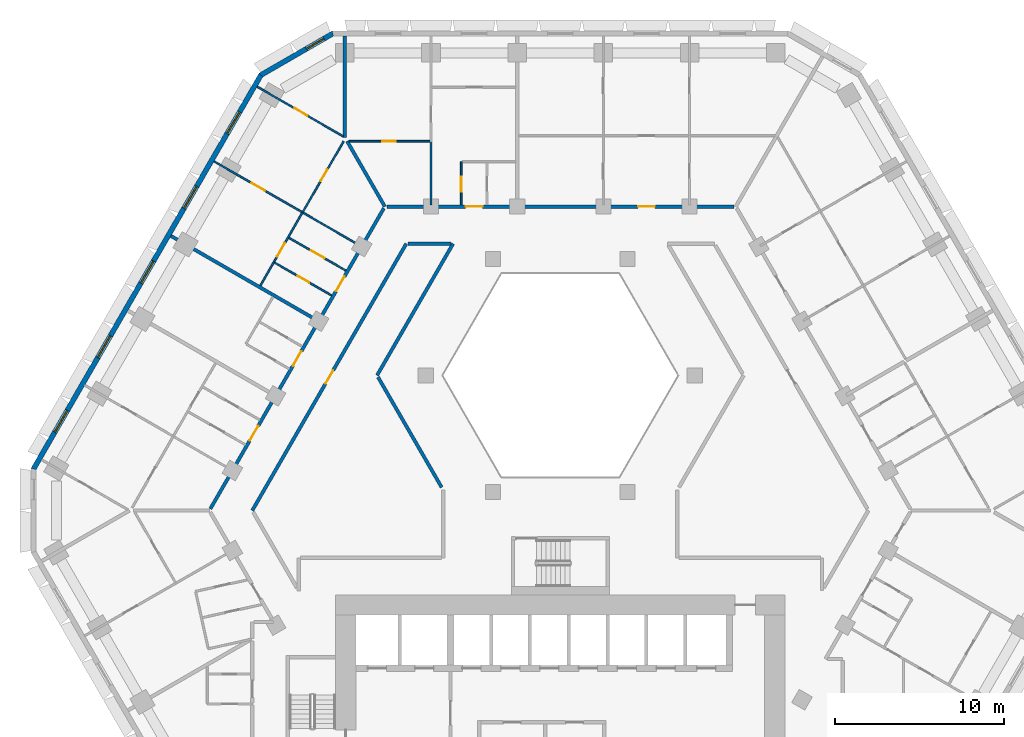
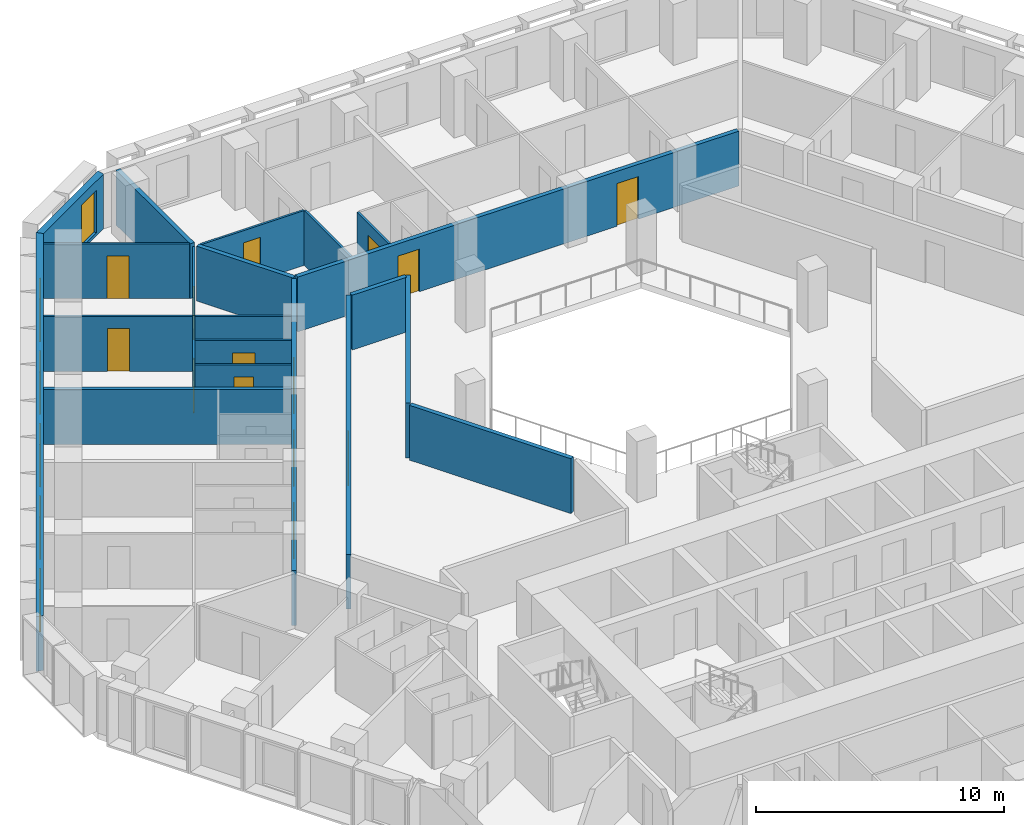
# One storey, part 8 of 16: 20 walls, 14 doors, 6 windows, 20 openings.
"""IFC4 building model written with IfcOpenShell, lengths in metres."""

import ifcopenshell
import ifcopenshell.guid

model = None  # the IFC model being written
_history = None  # IfcOwnerHistory: only IFC2X3 demands one
_inside = {}  # id of a spatial element -> (the spatial element, [elements in it])
_under = {}  # id of a project, library or spatial element -> (it, [spatial elements below it])
_declared = {}  # id of a project -> (the project, [libraries it declares])
_typed = {}  # id of a type object -> (the type object, [elements of that type])
_made_of = {}  # id of a material, layer set ... -> (it, [elements and type objects made of it])


def new_model(schema):
    """Start an empty IFC model of exactly this schema.

    Asked for "IFC4X3", IfcOpenShell would pick the latest addendum, in which some entities
    have other attributes; the version numbers below select the first issue.
    IFC2X3 requires an IfcOwnerHistory on every rooted entity: one is made here for all.
    """
    global model, _history
    if schema == "IFC4X3":
        model = ifcopenshell.file(schema_version=(4, 3, 0, 0))
    else:
        model = ifcopenshell.file(schema=schema)
    _inside.clear()
    _under.clear()
    _declared.clear()
    _typed.clear()
    _made_of.clear()
    _history = None
    if model.schema == "IFC2X3":
        org = make("IfcOrganization", Name="unknown")
        user = make(
            "IfcPersonAndOrganization",
            ThePerson=make("IfcPerson", FamilyName="unknown"),
            TheOrganization=org,
        )
        app = make(
            "IfcApplication",
            ApplicationDeveloper=org,
            Version="unknown",
            ApplicationFullName="unknown",
            ApplicationIdentifier="unknown",
        )
        _history = make(
            "IfcOwnerHistory",
            OwningUser=user,
            OwningApplication=app,
            ChangeAction="ADDED",
            CreationDate=0,
        )
    return model


def make(cls, **values):
    """One entity of the class cls with the attributes given. An attribute that is None is left unset."""
    return model.create_entity(
        cls, **{name: value for name, value in values.items() if value is not None}
    )


def rooted(cls, **values):
    """An entity with a GlobalId (a new one), such as an element, a storey or a relation."""
    return make(cls, GlobalId=ifcopenshell.guid.new(), OwnerHistory=_history, **values)


def si_unit(unit_type, name, prefix=None):
    """IfcSIUnit, for example si_unit("LENGTHUNIT", "METRE", prefix="MILLI")."""
    return make("IfcSIUnit", UnitType=unit_type, Prefix=prefix, Name=name)


def assignment(units):
    """IfcUnitAssignment: the units of a project."""
    return None if units is None else make("IfcUnitAssignment", Units=units)


def point(xyz):
    """IfcCartesianPoint."""
    return None if xyz is None else make("IfcCartesianPoint", Coordinates=xyz)


def direction(xyz):
    """IfcDirection."""
    return None if xyz is None else make("IfcDirection", DirectionRatios=xyz)


def frame(location, z_axis=None, x_axis=None):
    """IfcAxis2Placement3D, a coordinate frame: its origin and axes. An axis left out is left unset."""
    return make(
        "IfcAxis2Placement3D",
        Location=point(location),
        Axis=direction(z_axis),
        RefDirection=direction(x_axis),
    )


def frame_2d(location, x_axis=None):
    """IfcAxis2Placement2D, a coordinate frame in the plane: its origin and x axis."""
    return make(
        "IfcAxis2Placement2D", Location=point(location), RefDirection=direction(x_axis)
    )


def origin():
    """The frame at (0, 0, 0) with its axes left unset."""
    return frame((0.0, 0.0, 0.0))


def place(relative_to, where):
    """IfcLocalPlacement: puts the frame where relative to a parent placement (None: the world)."""
    return make(
        "IfcLocalPlacement", PlacementRelTo=relative_to, RelativePlacement=where
    )


def context(
    kind, dimensions, precision=None, world=None, true_north=None, identifier=None
):
    """IfcGeometricRepresentationContext, for example the 3D "Model" context."""
    return make(
        "IfcGeometricRepresentationContext",
        ContextIdentifier=identifier,
        ContextType=kind,
        CoordinateSpaceDimension=dimensions,
        Precision=precision,
        WorldCoordinateSystem=world,
        TrueNorth=true_north,
    )


def subcontext(parent, identifier, kind, view, scale=None):
    """IfcGeometricRepresentationSubContext, for example "Body" below "Model"."""
    return make(
        "IfcGeometricRepresentationSubContext",
        ContextIdentifier=identifier,
        ContextType=kind,
        ParentContext=parent,
        TargetScale=scale,
        TargetView=view,
    )


def project(units=None, contexts=None):
    """IfcProject with its units and contexts."""
    return rooted(
        "IfcProject",
        Name="project",
        RepresentationContexts=contexts,
        UnitsInContext=assignment(units),
    )


def spatial(cls, under=None, at=None, **own):
    """A site, building, storey or space (cls), placed at a placement, below another one or the project."""
    s = rooted(cls, ObjectPlacement=at, **own)
    if under is not None:
        _under.setdefault(under.id(), (under, []))[1].append(s)
    return s


def polyline(points):
    """IfcPolyline through the points."""
    return make("IfcPolyline", Points=[point(p) for p in points])


def profile(cls, at=None, kind="AREA", **sizes):
    """A parametric profile (cls). Its sizes go by their IFC names, for example OverallWidth=200.0."""
    return make(cls, ProfileType=kind, Position=at, **sizes)


def rectangle(**sizes):
    """IfcRectangleProfileDef."""
    return profile("IfcRectangleProfileDef", **sizes)


def outline(outer, holes=None, kind="AREA"):
    """IfcArbitraryClosedProfileDef: a profile drawn as a closed curve; with holes, ...WithVoids."""
    if holes is None:
        return make("IfcArbitraryClosedProfileDef", ProfileType=kind, OuterCurve=outer)
    return make(
        "IfcArbitraryProfileDefWithVoids",
        ProfileType=kind,
        OuterCurve=outer,
        InnerCurves=holes,
    )


def extrude(swept, where, along, depth):
    """IfcExtrudedAreaSolid: the profile swept, set in the frame where, extruded along a direction by depth."""
    return make(
        "IfcExtrudedAreaSolid",
        SweptArea=swept,
        Position=where,
        ExtrudedDirection=direction(along),
        Depth=depth,
    )


def shape(context_of_items, identifier, shape_type, items):
    """IfcShapeRepresentation: the items that make up one representation, for example the "Body"."""
    return make(
        "IfcShapeRepresentation",
        ContextOfItems=context_of_items,
        RepresentationIdentifier=identifier,
        RepresentationType=shape_type,
        Items=items,
    )


def material(Name=None, Category=None):
    """IfcMaterial."""
    return make("IfcMaterial", Name=Name, Category=Category)


def layer(
    of_material, thickness, ventilated=None, Name=None, Category=None, Priority=None
):
    """IfcMaterialLayer: one layer of a wall or slab, of a material (None: an air gap)."""
    return make(
        "IfcMaterialLayer",
        Material=of_material,
        LayerThickness=thickness,
        IsVentilated=ventilated,
        Name=Name,
        Category=Category,
        Priority=Priority,
    )


def layer_set(layers, Name=None):
    """IfcMaterialLayerSet."""
    return make("IfcMaterialLayerSet", MaterialLayers=layers, LayerSetName=Name)


def made_of(thing, what):
    """Note that an element or type object is made of a material, layer set ...; save() writes the relation."""
    if what is not None:
        _made_of.setdefault(what.id(), (what, []))[1].append(thing)
    return thing


def type_object(cls, material=None, **own):
    """A type object (cls), such as IfcWallType, which elements share."""
    return made_of(rooted(cls, **own), material)


def element(
    cls,
    number,
    at=None,
    inside=None,
    cuts=None,
    type_object=None,
    material=None,
    context=None,
    identifier="Body",
    shape_type=None,
    held_by="IfcProductDefinitionShape",
    body=None,
    shapes=None,
    **own,
):
    """One element of the class cls, such as IfcWall. Its Tag is "e" and its number.

    at: its placement. inside: the storey or other place that contains it. cuts: it is an
    opening in that element (IfcRelVoidsElement). A single representation is given by context,
    identifier, shape_type and body (its items); several are given by shapes. held_by: the class
    of the entity that holds the representations. save() writes the other relations.
    """
    e = rooted(cls, Tag="e%d" % number, ObjectPlacement=at, **own)
    if body is not None:
        shapes = [shape(context, identifier, shape_type, body)]
    if shapes is not None:
        e.Representation = make(held_by, Representations=shapes)
    if inside is not None:
        _inside.setdefault(inside.id(), (inside, []))[1].append(e)
    if cuts is not None:
        rooted(
            "IfcRelVoidsElement", RelatingBuildingElement=cuts, RelatedOpeningElement=e
        )
    if type_object is not None:
        _typed.setdefault(type_object.id(), (type_object, []))[1].append(e)
    return made_of(e, material)


def fill(opening, filler):
    """IfcRelFillsElement: the door or window that sits in an opening."""
    return rooted(
        "IfcRelFillsElement",
        RelatingOpeningElement=opening,
        RelatedBuildingElement=filler,
    )


def aggregate(whole, parts):
    """IfcRelAggregates: a whole, such as a stair, and the parts it consists of."""
    return rooted("IfcRelAggregates", RelatingObject=whole, RelatedObjects=parts)


def save(model, path):
    """Write the relations noted so far, then the file.

    IfcRelAggregates (storeys below a building ...), IfcRelContainedInSpatialStructure (elements
    in a storey), IfcRelDefinesByType, IfcRelAssociatesMaterial and IfcRelDeclares: one each for
    every whole, place, type object, material and project.
    """
    for whole, parts in _under.values():
        aggregate(whole, parts)
    for where, things in _inside.values():
        rooted(
            "IfcRelContainedInSpatialStructure",
            RelatedElements=things,
            RelatingStructure=where,
        )
    for kind, things in _typed.values():
        rooted("IfcRelDefinesByType", RelatedObjects=things, RelatingType=kind)
    for what, things in _made_of.values():
        rooted("IfcRelAssociatesMaterial", RelatedObjects=things, RelatingMaterial=what)
    for by, libraries in _declared.values():
        rooted("IfcRelDeclares", RelatingContext=by, RelatedDefinitions=libraries)
    model.write(path)


model = new_model("IFC4")

# Units and contexts
model_context = context("Model", 3, precision=1e-05, world=origin(), true_north=direction((0.0, 1.0)))
body_context = subcontext(model_context, "Body", "Model", "MODEL_VIEW")
ifc_project = project(units=[si_unit("LENGTHUNIT", "METRE"), si_unit("AREAUNIT", "SQUARE_METRE"), si_unit("VOLUMEUNIT", "CUBIC_METRE"), si_unit("PLANEANGLEUNIT", "RADIAN"), si_unit("MASSUNIT", "GRAM", prefix="KILO")], contexts=[model_context])

# Site, building, storey
site_placement = place(None, origin())
site = spatial("IfcSite", under=ifc_project, at=site_placement, CompositionType="ELEMENT")
building_placement = place(site_placement, origin())
building = spatial("IfcBuilding", under=site, at=building_placement, Name="Beryl Residences", CompositionType="ELEMENT")
storey_placement = place(building_placement, frame((0.0, 0.0, 44.39990234375)))
storey = spatial("IfcBuildingStorey", under=building, at=storey_placement, Name="L13", CompositionType="ELEMENT", Elevation=44.39990234375)

# Wall, opening, window
ifc_material_1 = material(Name="Composite metal panel with mineral wool insulation")
ifc_layer_1 = layer(ifc_material_1, 0.300048828125)
ifc_layer_set_1 = layer_set([ifc_layer_1], Name="ES1 pale metal composite panel wall 300 mm")
wall_type_1 = type_object("IfcWallType", Name="ES1 pale metal composite panel wall 300 mm", PredefinedType="SOLIDWALL", material=ifc_layer_set_1)
wall_1_placement = place(storey_placement, frame((-13.43505859375, 28.27001953125, 0.0), z_axis=(0.0, 0.0, 1.0), x_axis=(-0.866010750942, -0.50002537861, 0.0)))
wall_1 = element("IfcWall", 1, at=wall_1_placement, inside=storey, type_object=wall_type_1, Name="ES1 external wall L13 N-NW", PredefinedType="SOLIDWALL", context=body_context, shape_type="SweptSolid", body=[
    extrude(outline(polyline([(0.0, -0.14990234375), (4.999755859375, -0.14990234375), (4.91943359375, 0.14990234375), (0.080322265625, 0.14990234375), (0.0, -0.14990234375)])), origin(), (0.0, 0.0, 1.0), 2.7001953125),
])
opening_1_placement = place(wall_1_placement, frame((0.64990234375, 0.0, 0.14990234375)))
opening_1 = element("IfcOpeningElement", 2, at=opening_1_placement, cuts=wall_1, Name="Opening W2", PredefinedType="OPENING", context=body_context, shape_type="SweptSolid", body=[
    extrude(rectangle(XDim=1.199951171875, YDim=2.10009765625, at=frame_2d((0.60009765625, 1.050048828125))), frame((0.0, 0.159912109375, 0.0), z_axis=(0.0, -1.0, 0.0), x_axis=(1.0, 0.0, 0.0)), (0.0, 0.0, 1.0), 0.320068359375),
])
ifc_material_2 = material(Name="Aluminium and clear glass", Category="aluminium")
window_type_1 = type_object("IfcWindowType", Name="W2 chamfer window 1200 x 2100 mm", PartitioningType="SINGLE_PANEL", PredefinedType="WINDOW", material=ifc_material_2)
window_1_placement = place(opening_1_placement, origin())
window_1 = element("IfcWindow", 3, at=window_1_placement, inside=storey, type_object=window_type_1, Name="W2 window L13 N-NW 1", OverallHeight=2.10009765625, OverallWidth=1.199951171875, PartitioningType="SINGLE_PANEL", PredefinedType="WINDOW", context=body_context, shape_type="SweptSolid", body=[
    extrude(rectangle(XDim=1.199951171875, YDim=2.10009765625, at=frame_2d((0.60009765625, 1.050048828125))), frame((0.0, 0.030029296875, 0.0), z_axis=(0.0, -1.0, 0.0), x_axis=(1.0, 0.0, 0.0)), (0.0, 0.0, 1.0), 0.06005859375),
])
fill(opening_1, window_1)

# Wall, openings, windows
wall_2_placement = place(storey_placement, frame((-17.7099609375, 25.824951171875, 0.0), z_axis=(0.0, 0.0, 1.0), x_axis=(-0.500001938803, -0.866024284413, 0.0)))
wall_2 = element("IfcWall", 4, at=wall_2_placement, inside=storey, type_object=wall_type_1, Name="ES1 external wall L13 NW", PredefinedType="SOLIDWALL", context=body_context, shape_type="SweptSolid", body=[
    extrude(outline(polyline([(0.0, -0.14990234375), (27.02001953125, -0.14990234375), (26.939697265625, 0.14990234375), (0.080322265625, 0.14990234375), (0.0, -0.14990234375)])), origin(), (0.0, 0.0, 1.0), 2.7001953125),
])
opening_2_placement = place(wall_2_placement, frame((2.552978515625, 0.0, 0.14990234375)))
opening_2 = element("IfcOpeningElement", 5, at=opening_2_placement, cuts=wall_2, Name="Opening W1", PredefinedType="OPENING", context=body_context, shape_type="SweptSolid", body=[
    extrude(rectangle(XDim=1.5, YDim=2.10009765625, at=frame_2d((0.75, 1.050048828125))), frame((0.0, 0.159912109375, 0.0), z_axis=(0.0, -1.0, 0.0), x_axis=(1.0, 0.0, 0.0)), (0.0, 0.0, 1.0), 0.320068359375),
])
opening_3_placement = place(wall_2_placement, frame((7.657958984375, 0.0, 0.14990234375)))
opening_3 = element("IfcOpeningElement", 6, at=opening_3_placement, cuts=wall_2, Name="Opening W1", PredefinedType="OPENING", context=body_context, shape_type="SweptSolid", body=[
    extrude(rectangle(XDim=1.5, YDim=2.10009765625, at=frame_2d((0.75, 1.050048828125))), frame((0.0, 0.159912109375, 0.0), z_axis=(0.0, -1.0, 0.0), x_axis=(1.0, 0.0, 0.0)), (0.0, 0.0, 1.0), 0.320068359375),
])
opening_4_placement = place(wall_2_placement, frame((12.760986328125, 0.0, 0.14990234375)))
opening_4 = element("IfcOpeningElement", 7, at=opening_4_placement, cuts=wall_2, Name="Opening W1", PredefinedType="OPENING", context=body_context, shape_type="SweptSolid", body=[
    extrude(rectangle(XDim=1.5, YDim=2.10009765625, at=frame_2d((0.75, 1.050048828125))), frame((0.0, 0.159912109375, 0.0), z_axis=(0.0, -1.0, 0.0), x_axis=(1.0, 0.0, 0.0)), (0.0, 0.0, 1.0), 0.320068359375),
])
opening_5_placement = place(wall_2_placement, frame((17.864990234375, 0.0, 0.14990234375)))
opening_5 = element("IfcOpeningElement", 8, at=opening_5_placement, cuts=wall_2, Name="Opening W1", PredefinedType="OPENING", context=body_context, shape_type="SweptSolid", body=[
    extrude(rectangle(XDim=1.5, YDim=2.10009765625, at=frame_2d((0.75, 1.050048828125))), frame((0.0, 0.159912109375, 0.0), z_axis=(0.0, -1.0, 0.0), x_axis=(1.0, 0.0, 0.0)), (0.0, 0.0, 1.0), 0.320068359375),
])
opening_6_placement = place(wall_2_placement, frame((22.968994140625, 0.0, 0.14990234375)))
opening_6 = element("IfcOpeningElement", 9, at=opening_6_placement, cuts=wall_2, Name="Opening W1", PredefinedType="OPENING", context=body_context, shape_type="SweptSolid", body=[
    extrude(rectangle(XDim=1.5, YDim=2.10009765625, at=frame_2d((0.75, 1.050048828125))), frame((0.0, 0.159912109375, 0.0), z_axis=(0.0, -1.0, 0.0), x_axis=(1.0, 0.0, 0.0)), (0.0, 0.0, 1.0), 0.320068359375),
])
ifc_material_3 = material(Name="Aluminium and clear glass", Category="aluminium")
window_type_2 = type_object("IfcWindowType", Name="W1 cell window 1500 x 2100 mm", PartitioningType="SINGLE_PANEL", PredefinedType="WINDOW", material=ifc_material_3)
window_2_placement = place(opening_2_placement, origin())
window_2 = element("IfcWindow", 10, at=window_2_placement, inside=storey, type_object=window_type_2, Name="W1 window L13 NW 2", OverallHeight=2.10009765625, OverallWidth=1.5, PartitioningType="SINGLE_PANEL", PredefinedType="WINDOW", context=body_context, shape_type="SweptSolid", body=[
    extrude(rectangle(XDim=1.5, YDim=2.10009765625, at=frame_2d((0.75, 1.050048828125))), frame((0.0, 0.030029296875, 0.0), z_axis=(0.0, -1.0, 0.0), x_axis=(1.0, 0.0, 0.0)), (0.0, 0.0, 1.0), 0.06005859375),
])
fill(opening_2, window_2)
window_3_placement = place(opening_3_placement, origin())
window_3 = element("IfcWindow", 11, at=window_3_placement, inside=storey, type_object=window_type_2, Name="W1 window L13 NW 4", OverallHeight=2.10009765625, OverallWidth=1.5, PartitioningType="SINGLE_PANEL", PredefinedType="WINDOW", context=body_context, shape_type="SweptSolid", body=[
    extrude(rectangle(XDim=1.5, YDim=2.10009765625, at=frame_2d((0.75, 1.050048828125))), frame((0.0, 0.030029296875, 0.0), z_axis=(0.0, -1.0, 0.0), x_axis=(1.0, 0.0, 0.0)), (0.0, 0.0, 1.0), 0.06005859375),
])
fill(opening_3, window_3)
window_4_placement = place(opening_4_placement, origin())
window_4 = element("IfcWindow", 12, at=window_4_placement, inside=storey, type_object=window_type_2, Name="W1 window L13 NW 6", OverallHeight=2.10009765625, OverallWidth=1.5, PartitioningType="SINGLE_PANEL", PredefinedType="WINDOW", context=body_context, shape_type="SweptSolid", body=[
    extrude(rectangle(XDim=1.5, YDim=2.10009765625, at=frame_2d((0.75, 1.050048828125))), frame((0.0, 0.030029296875, 0.0), z_axis=(0.0, -1.0, 0.0), x_axis=(1.0, 0.0, 0.0)), (0.0, 0.0, 1.0), 0.06005859375),
])
fill(opening_4, window_4)
window_5_placement = place(opening_5_placement, origin())
window_5 = element("IfcWindow", 13, at=window_5_placement, inside=storey, type_object=window_type_2, Name="W1 window L13 NW 8", OverallHeight=2.10009765625, OverallWidth=1.5, PartitioningType="SINGLE_PANEL", PredefinedType="WINDOW", context=body_context, shape_type="SweptSolid", body=[
    extrude(rectangle(XDim=1.5, YDim=2.10009765625, at=frame_2d((0.75, 1.050048828125))), frame((0.0, 0.030029296875, 0.0), z_axis=(0.0, -1.0, 0.0), x_axis=(1.0, 0.0, 0.0)), (0.0, 0.0, 1.0), 0.06005859375),
])
fill(opening_5, window_5)
window_6_placement = place(opening_6_placement, origin())
window_6 = element("IfcWindow", 14, at=window_6_placement, inside=storey, type_object=window_type_2, Name="W1 window L13 NW 10", OverallHeight=2.10009765625, OverallWidth=1.5, PartitioningType="SINGLE_PANEL", PredefinedType="WINDOW", context=body_context, shape_type="SweptSolid", body=[
    extrude(rectangle(XDim=1.5, YDim=2.10009765625, at=frame_2d((0.75, 1.050048828125))), frame((0.0, 0.030029296875, 0.0), z_axis=(0.0, -1.0, 0.0), x_axis=(1.0, 0.0, 0.0)), (0.0, 0.0, 1.0), 0.06005859375),
])
fill(opening_6, window_6)

# Wall
ifc_material_4 = material(Name="Gypsum board partition on steel studs", Category="steel")
ifc_layer_2 = layer(ifc_material_4, 0.10009765625)
ifc_layer_set_2 = layer_set([ifc_layer_2], Name="PT1 partition 100 mm gypsum board on steel studs")
wall_type_2 = type_object("IfcWallType", Name="PT1 partition 100 mm gypsum board on steel studs", PredefinedType="PARTITIONING", material=ifc_layer_set_2)
wall_3_placement = place(storey_placement, frame((-7.656982421875, 21.843994140625, 0.0), z_axis=(0.0, 0.0, 1.0), x_axis=(0.0, -1.0, 0.0)))
element("IfcWall", 15, at=wall_3_placement, inside=storey, type_object=wall_type_2, Name="Wall PT1 L13 006", PredefinedType="PARTITIONING", context=body_context, shape_type="SweptSolid", body=[
    extrude(rectangle(XDim=3.743896484375, YDim=0.10009765625, at=frame_2d((1.8720703125, 0.0))), origin(), (0.0, 0.0, 1.0), 2.7001953125),
])

# Wall, opening, door
wall_4_placement = place(storey_placement, frame((-16.923095703125, 14.680908203125, 0.0), z_axis=(0.0, 0.0, 1.0), x_axis=(0.866087525071, -0.499892387336, 0.0)))
wall_4 = element("IfcWall", 16, at=wall_4_placement, inside=storey, type_object=wall_type_2, Name="Wall PT1 L13 017", PredefinedType="PARTITIONING", context=body_context, shape_type="SweptSolid", body=[
    extrude(rectangle(XDim=3.896728515625, YDim=0.10009765625, at=frame_2d((1.9482421875, 0.0))), origin(), (0.0, 0.0, 1.0), 2.7001953125),
])
opening_7_placement = place(wall_4_placement, frame((1.573974609375, 0.0, 0.0)))
opening_7 = element("IfcOpeningElement", 17, at=opening_7_placement, cuts=wall_4, Name="Opening D0571", PredefinedType="OPENING", context=body_context, shape_type="SweptSolid", body=[
    extrude(rectangle(XDim=0.800048828125, YDim=2.10009765625, at=frame_2d((0.39990234375, 1.050048828125))), frame((0.0, 0.06005859375, 0.0), z_axis=(0.0, -1.0, 0.0), x_axis=(1.0, 0.0, 0.0)), (0.0, 0.0, 1.0), 0.1201171875),
])
ifc_material_5 = material(Name="Timber door leaf", Category="wood")
door_type_1 = type_object("IfcDoorType", Name="D3 bathroom door 800 x 2100 mm", OperationType="SINGLE_SWING_LEFT", PredefinedType="DOOR", material=ifc_material_5)
door_1_placement = place(opening_7_placement, origin())
door_1 = element("IfcDoor", 18, at=door_1_placement, inside=storey, type_object=door_type_1, Name="Door D0571 L13 001", OperationType="SINGLE_SWING_LEFT", OverallHeight=2.10009765625, OverallWidth=0.800048828125, PredefinedType="DOOR", context=body_context, shape_type="SweptSolid", body=[
    extrude(rectangle(XDim=0.800048828125, YDim=2.10009765625, at=frame_2d((0.39990234375, 1.050048828125))), frame((0.0, 0.02490234375, 0.0), z_axis=(0.0, -1.0, 0.0), x_axis=(1.0, 0.0, 0.0)), (0.0, 0.0, 1.0), 0.050048828125),
])
fill(opening_7, door_1)

wall_5_placement = place(storey_placement, frame((-16.072998046875, 16.154052734375, 0.0), z_axis=(0.0, 0.0, 1.0), x_axis=(0.865979019114, -0.500080332001, 0.0)))
wall_5 = element("IfcWall", 19, at=wall_5_placement, inside=storey, type_object=wall_type_2, Name="Wall PT1 L13 020", PredefinedType="PARTITIONING", context=body_context, shape_type="SweptSolid", body=[
    extrude(rectangle(XDim=3.897216796875, YDim=0.10009765625, at=frame_2d((1.94873046875, 0.0))), origin(), (0.0, 0.0, 1.0), 2.7001953125),
])
opening_8_placement = place(wall_5_placement, frame((1.52392578125, 0.0, 0.0)))
opening_8 = element("IfcOpeningElement", 20, at=opening_8_placement, cuts=wall_5, Name="Opening D0572", PredefinedType="OPENING", context=body_context, shape_type="SweptSolid", body=[
    extrude(rectangle(XDim=0.89990234375, YDim=2.10009765625, at=frame_2d((0.449951171875, 1.050048828125))), frame((0.0, 0.06005859375, 0.0), z_axis=(0.0, -1.0, 0.0), x_axis=(1.0, 0.0, 0.0)), (0.0, 0.0, 1.0), 0.1201171875),
])
ifc_material_6 = material(Name="Timber door leaf", Category="wood")
door_type_2 = type_object("IfcDoorType", Name="D2 room door 900 x 2100 mm", OperationType="SINGLE_SWING_LEFT", PredefinedType="DOOR", material=ifc_material_6)
door_2_placement = place(opening_8_placement, origin())
door_2 = element("IfcDoor", 21, at=door_2_placement, inside=storey, type_object=door_type_2, Name="Door D0572 L13 001", OperationType="SINGLE_SWING_RIGHT", OverallHeight=2.10009765625, OverallWidth=0.89990234375, PredefinedType="DOOR", context=body_context, shape_type="SweptSolid", body=[
    extrude(rectangle(XDim=0.89990234375, YDim=2.10009765625, at=frame_2d((0.449951171875, 1.050048828125))), frame((0.0, 0.02490234375, 0.0), z_axis=(0.0, -1.0, 0.0), x_axis=(1.0, 0.0, 0.0)), (0.0, 0.0, 1.0), 0.050048828125),
])
fill(opening_8, door_2)

wall_6_placement = place(storey_placement, frame((-20.508056640625, 20.678955078125, 0.0), z_axis=(0.0, 0.0, 1.0), x_axis=(0.866047370643, -0.499961950354, 0.0)))
wall_6 = element("IfcWall", 22, at=wall_6_placement, inside=storey, type_object=wall_type_2, Name="Wall PT1 L13 022", PredefinedType="PARTITIONING", context=body_context, shape_type="SweptSolid", body=[
    extrude(rectangle(XDim=10.000732421875, YDim=0.10009765625, at=frame_2d((5.00048828125, 0.0))), origin(), (0.0, 0.0, 1.0), 2.7001953125),
])
opening_9_placement = place(wall_6_placement, frame((2.575927734375, 0.0, 0.0)))
opening_9 = element("IfcOpeningElement", 23, at=opening_9_placement, cuts=wall_6, Name="Opening D0574", PredefinedType="OPENING", context=body_context, shape_type="SweptSolid", body=[
    extrude(rectangle(XDim=0.89990234375, YDim=2.10009765625, at=frame_2d((0.449951171875, 1.050048828125))), frame((0.0, 0.06005859375, 0.0), z_axis=(0.0, -1.0, 0.0), x_axis=(1.0, 0.0, 0.0)), (0.0, 0.0, 1.0), 0.1201171875),
])
door_3_placement = place(opening_9_placement, origin())
door_3 = element("IfcDoor", 24, at=door_3_placement, inside=storey, type_object=door_type_2, Name="Door D0574 L13 001", OperationType="SINGLE_SWING_RIGHT", OverallHeight=2.10009765625, OverallWidth=0.89990234375, PredefinedType="DOOR", context=body_context, shape_type="SweptSolid", body=[
    extrude(rectangle(XDim=0.89990234375, YDim=2.10009765625, at=frame_2d((0.449951171875, 1.050048828125))), frame((0.0, 0.02490234375, 0.0), z_axis=(0.0, -1.0, 0.0), x_axis=(1.0, 0.0, 0.0)), (0.0, 0.0, 1.0), 0.050048828125),
])
fill(opening_9, door_3)

wall_7_placement = place(storey_placement, frame((-17.955078125, 25.09912109375, 0.0), z_axis=(0.0, 0.0, 1.0), x_axis=(0.866036353684, -0.499981033738, 0.0)))
wall_7 = element("IfcWall", 25, at=wall_7_placement, inside=storey, type_object=wall_type_2, Name="Wall PT1 L13 023", PredefinedType="PARTITIONING", context=body_context, shape_type="SweptSolid", body=[
    extrude(rectangle(XDim=5.884521484375, YDim=0.10009765625, at=frame_2d((2.9423828125, 0.0))), origin(), (0.0, 0.0, 1.0), 2.7001953125),
])
opening_10_placement = place(wall_7_placement, frame((2.550048828125, 0.0, 0.0)))
opening_10 = element("IfcOpeningElement", 26, at=opening_10_placement, cuts=wall_7, Name="Opening D0575", PredefinedType="OPENING", context=body_context, shape_type="SweptSolid", body=[
    extrude(rectangle(XDim=0.89990234375, YDim=2.10009765625, at=frame_2d((0.449951171875, 1.050048828125))), frame((0.0, 0.06005859375, 0.0), z_axis=(0.0, -1.0, 0.0), x_axis=(1.0, 0.0, 0.0)), (0.0, 0.0, 1.0), 0.1201171875),
])
door_4_placement = place(opening_10_placement, origin())
door_4 = element("IfcDoor", 27, at=door_4_placement, inside=storey, type_object=door_type_2, Name="Door D0575 L13 001", OperationType="SINGLE_SWING_LEFT", OverallHeight=2.10009765625, OverallWidth=0.89990234375, PredefinedType="DOOR", context=body_context, shape_type="SweptSolid", body=[
    extrude(rectangle(XDim=0.89990234375, YDim=2.10009765625, at=frame_2d((0.449951171875, 1.050048828125))), frame((0.0, 0.02490234375, 0.0), z_axis=(0.0, -1.0, 0.0), x_axis=(1.0, 0.0, 0.0)), (0.0, 0.0, 1.0), 0.050048828125),
])
fill(opening_10, door_4)

wall_8_placement = place(storey_placement, frame((-12.512939453125, 21.8740234375, 0.0), z_axis=(0.0, 0.0, 1.0), x_axis=(1.0, 0.0, 0.0)))
wall_8 = element("IfcWall", 28, at=wall_8_placement, inside=storey, type_object=wall_type_2, Name="Wall PT1 L13 033", PredefinedType="PARTITIONING", context=body_context, shape_type="SweptSolid", body=[
    extrude(rectangle(XDim=4.805908203125, YDim=0.10009765625, at=frame_2d((2.40283203125, 0.0))), origin(), (0.0, 0.0, 1.0), 2.7001953125),
])
opening_11_placement = place(wall_8_placement, frame((1.969970703125, 0.0, 0.0)))
opening_11 = element("IfcOpeningElement", 29, at=opening_11_placement, cuts=wall_8, Name="Opening D0569", PredefinedType="OPENING", context=body_context, shape_type="SweptSolid", body=[
    extrude(rectangle(XDim=0.800048828125, YDim=2.10009765625, at=frame_2d((0.39990234375, 1.050048828125))), frame((0.0, 0.06005859375, 0.0), z_axis=(0.0, -1.0, 0.0), x_axis=(1.0, 0.0, 0.0)), (0.0, 0.0, 1.0), 0.1201171875),
])
door_5_placement = place(opening_11_placement, origin())
door_5 = element("IfcDoor", 30, at=door_5_placement, inside=storey, type_object=door_type_1, Name="Door D0569 L13 001", OperationType="SINGLE_SWING_LEFT", OverallHeight=2.10009765625, OverallWidth=0.800048828125, PredefinedType="DOOR", context=body_context, shape_type="SweptSolid", body=[
    extrude(rectangle(XDim=0.800048828125, YDim=2.10009765625, at=frame_2d((0.39990234375, 1.050048828125))), frame((0.0, 0.02490234375, 0.0), z_axis=(0.0, -1.0, 0.0), x_axis=(1.0, 0.0, 0.0)), (0.0, 0.0, 1.0), 0.050048828125),
])
fill(opening_11, door_5)

wall_9_placement = place(storey_placement, frame((-17.76806640625, 13.319091796875, 0.0), z_axis=(0.0, 0.0, 1.0), x_axis=(0.499958946799, 0.866049104564, 0.0)))
wall_9 = element("IfcWall", 31, at=wall_9_placement, inside=storey, type_object=wall_type_2, Name="Wall PT1 L13 040", PredefinedType="PARTITIONING", context=body_context, shape_type="SweptSolid", body=[
    extrude(rectangle(XDim=5.00439453125, YDim=0.10009765625, at=frame_2d((2.502197265625, 0.0))), origin(), (0.0, 0.0, 1.0), 2.7001953125),
])
opening_12_placement = place(wall_9_placement, frame((2.001953125, 0.0, 0.0)))
opening_12 = element("IfcOpeningElement", 32, at=opening_12_placement, cuts=wall_9, Name="Opening D0573", PredefinedType="OPENING", context=body_context, shape_type="SweptSolid", body=[
    extrude(rectangle(XDim=0.89990234375, YDim=2.10009765625, at=frame_2d((0.449951171875, 1.050048828125))), frame((0.0, 0.06005859375, 0.0), z_axis=(0.0, -1.0, 0.0), x_axis=(1.0, 0.0, 0.0)), (0.0, 0.0, 1.0), 0.1201171875),
])
door_6_placement = place(opening_12_placement, origin())
door_6 = element("IfcDoor", 33, at=door_6_placement, inside=storey, type_object=door_type_2, Name="Door D0573 L13 001", OperationType="SINGLE_SWING_LEFT", OverallHeight=2.10009765625, OverallWidth=0.89990234375, PredefinedType="DOOR", context=body_context, shape_type="SweptSolid", body=[
    extrude(rectangle(XDim=0.89990234375, YDim=2.10009765625, at=frame_2d((0.449951171875, 1.050048828125))), frame((0.0, 0.02490234375, 0.0), z_axis=(0.0, -1.0, 0.0), x_axis=(1.0, 0.0, 0.0)), (0.0, 0.0, 1.0), 0.050048828125),
])
fill(opening_12, door_6)

wall_10_placement = place(storey_placement, frame((-5.87109375, 18.10009765625, 0.0), z_axis=(0.0, 0.0, 1.0), x_axis=(0.0, 1.0, 0.0)))
wall_10 = element("IfcWall", 34, at=wall_10_placement, inside=storey, type_object=wall_type_2, Name="Wall PT1 L13 051", PredefinedType="PARTITIONING", context=body_context, shape_type="SweptSolid", body=[
    extrude(rectangle(XDim=2.558837890625, YDim=0.10009765625, at=frame_2d((1.279296875, 0.0))), origin(), (0.0, 0.0, 1.0), 2.7001953125),
])
opening_13_placement = place(wall_10_placement, frame((0.780029296875, 0.0, 0.0)))
opening_13 = element("IfcOpeningElement", 35, at=opening_13_placement, cuts=wall_10, Name="Opening D0565", PredefinedType="OPENING", context=body_context, shape_type="SweptSolid", body=[
    extrude(rectangle(XDim=0.89990234375, YDim=2.10009765625, at=frame_2d((0.449951171875, 1.050048828125))), frame((0.0, 0.06005859375, 0.0), z_axis=(0.0, -1.0, 0.0), x_axis=(1.0, 0.0, 0.0)), (0.0, 0.0, 1.0), 0.1201171875),
])
door_7_placement = place(opening_13_placement, origin())
door_7 = element("IfcDoor", 36, at=door_7_placement, inside=storey, type_object=door_type_2, Name="Door D0565 L13 001", OperationType="SINGLE_SWING_LEFT", OverallHeight=2.10009765625, OverallWidth=0.89990234375, PredefinedType="DOOR", context=body_context, shape_type="SweptSolid", body=[
    extrude(rectangle(XDim=0.89990234375, YDim=2.10009765625, at=frame_2d((0.449951171875, 1.050048828125))), frame((0.0, 0.02490234375, 0.0), z_axis=(0.0, -1.0, 0.0), x_axis=(1.0, 0.0, 0.0)), (0.0, 0.0, 1.0), 0.050048828125),
])
fill(opening_13, door_7)

wall_11_placement = place(storey_placement, frame((-15.26611328125, 17.653076171875, 0.0), z_axis=(0.0, 0.0, 1.0), x_axis=(0.500007182864, 0.866021256716, 0.0)))
wall_11 = element("IfcWall", 37, at=wall_11_placement, inside=storey, type_object=wall_type_2, Name="Wall PT1 L13 073", PredefinedType="PARTITIONING", context=body_context, shape_type="SweptSolid", body=[
    extrude(rectangle(XDim=4.8740234375, YDim=0.10009765625, at=frame_2d((2.43701171875, 0.0))), origin(), (0.0, 0.0, 1.0), 2.7001953125),
])
opening_14_placement = place(wall_11_placement, frame((2.136962890625, 0.0, 0.0)))
opening_14 = element("IfcOpeningElement", 38, at=opening_14_placement, cuts=wall_11, Name="Opening D0576", PredefinedType="OPENING", context=body_context, shape_type="SweptSolid", body=[
    extrude(rectangle(XDim=0.800048828125, YDim=2.10009765625, at=frame_2d((0.39990234375, 1.050048828125))), frame((0.0, 0.06005859375, 0.0), z_axis=(0.0, -1.0, 0.0), x_axis=(1.0, 0.0, 0.0)), (0.0, 0.0, 1.0), 0.1201171875),
])
door_8_placement = place(opening_14_placement, origin())
door_8 = element("IfcDoor", 39, at=door_8_placement, inside=storey, type_object=door_type_1, Name="Door D0576 L13 001", OperationType="SINGLE_SWING_RIGHT", OverallHeight=2.10009765625, OverallWidth=0.800048828125, PredefinedType="DOOR", context=body_context, shape_type="SweptSolid", body=[
    extrude(rectangle(XDim=0.800048828125, YDim=2.10009765625, at=frame_2d((0.39990234375, 1.050048828125))), frame((0.0, 0.02490234375, 0.0), z_axis=(0.0, -1.0, 0.0), x_axis=(1.0, 0.0, 0.0)), (0.0, 0.0, 1.0), 0.050048828125),
])
fill(opening_14, door_8)

# Walls
ifc_material_7 = material(Name="Acoustic double stud gypsum board wall")
ifc_layer_3 = layer(ifc_material_7, 0.199951171875)
ifc_layer_set_3 = layer_set([ifc_layer_3], Name="PT3 party wall 200 mm acoustic double stud")
wall_type_3 = type_object("IfcWallType", Name="PT3 party wall 200 mm acoustic double stud", PredefinedType="PARTITIONING", material=ifc_layer_set_3)
wall_12_placement = place(storey_placement, frame((-12.62890625, 21.8740234375, 0.0), z_axis=(0.0, 0.0, 1.0), x_axis=(0.500024801635, -0.86601108408, 0.0)))
element("IfcWall", 40, at=wall_12_placement, inside=storey, type_object=wall_type_3, Name="Wall PT3 L13 001", PredefinedType="PARTITIONING", context=body_context, shape_type="SweptSolid", body=[
    extrude(rectangle(XDim=4.473388671875, YDim=0.199951171875, at=frame_2d((2.23681640625, 0.0))), origin(), (0.0, 0.0, 1.0), 2.7001953125),
])
wall_13_placement = place(storey_placement, frame((-23.06005859375, 16.259033203125, 0.0), z_axis=(0.0, 0.0, 1.0), x_axis=(0.866047370643, -0.499961950354, 0.0)))
element("IfcWall", 41, at=wall_13_placement, inside=storey, type_object=wall_type_3, Name="Wall PT3 L13 008", PredefinedType="PARTITIONING", context=body_context, shape_type="SweptSolid", body=[
    extrude(rectangle(XDim=10.000732421875, YDim=0.199951171875, at=frame_2d((5.00048828125, 0.0))), origin(), (0.0, 0.0, 1.0), 2.7001953125),
])
wall_14_placement = place(storey_placement, frame((-12.760986328125, 22.10302734375, 0.0), z_axis=(0.0, 0.0, 1.0), x_axis=(0.0, 1.0, 0.0)))
element("IfcWall", 42, at=wall_14_placement, inside=storey, type_object=wall_type_3, Name="Wall PT3 L13 014", PredefinedType="PARTITIONING", context=body_context, shape_type="SweptSolid", body=[
    extrude(rectangle(XDim=5.9970703125, YDim=0.199951171875, at=frame_2d((2.99853515625, 0.0))), origin(), (0.0, 0.0, 1.0), 2.7001953125),
])
ifc_material_8 = material(Name="Double stud gypsum board wall")
ifc_layer_4 = layer(ifc_material_8, 0.199951171875)
ifc_layer_set_4 = layer_set([ifc_layer_4], Name="PT4 corridor wall 200 mm double stud")
wall_type_4 = type_object("IfcWallType", Name="PT4 corridor wall 200 mm double stud", PredefinedType="PARTITIONING", material=ifc_layer_set_4)
wall_15_placement = place(storey_placement, frame((-10.7958984375, 7.89990234375, 0.0), z_axis=(0.0, 0.0, 1.0), x_axis=(0.499954271211, -0.866051803703, 0.0)))
element("IfcWall", 43, at=wall_15_placement, inside=storey, type_object=wall_type_4, Name="Wall PT4 L13 001", PredefinedType="PARTITIONING", context=body_context, shape_type="SweptSolid", body=[
    extrude(rectangle(XDim=7.536376953125, YDim=0.199951171875, at=frame_2d((3.76806640625, 0.0))), origin(), (0.0, 0.0, 1.0), 2.7001953125),
])
wall_16_placement = place(storey_placement, frame((-9.006103515625, 15.800048828125, 0.0), z_axis=(0.0, 0.0, 1.0), x_axis=(1.0, 0.0, 0.0)))
element("IfcWall", 44, at=wall_16_placement, inside=storey, type_object=wall_type_4, Name="Wall PT4 L13 017", PredefinedType="PARTITIONING", context=body_context, shape_type="SweptSolid", body=[
    extrude(rectangle(XDim=2.5400390625, YDim=0.199951171875, at=frame_2d((1.27001953125, 0.0))), origin(), (0.0, 0.0, 1.0), 2.7001953125),
])

# Wall, openings, doors
wall_17_placement = place(storey_placement, frame((-10.27587890625, 18.0, 0.0), z_axis=(0.0, 0.0, 1.0), x_axis=(1.0, 0.0, 0.0)))
wall_17 = element("IfcWall", 45, at=wall_17_placement, inside=storey, type_object=wall_type_4, Name="Wall PT4 L13 019", PredefinedType="PARTITIONING", context=body_context, shape_type="SweptSolid", body=[
    extrude(rectangle(XDim=20.552978515625, YDim=0.199951171875, at=frame_2d((10.2763671875, 0.0))), origin(), (0.0, 0.0, 1.0), 2.7001953125),
])
opening_15_placement = place(wall_17_placement, frame((14.87890625, 0.0, 0.0)))
opening_15 = element("IfcOpeningElement", 46, at=opening_15_placement, cuts=wall_17, Name="Opening D0558", PredefinedType="OPENING", context=body_context, shape_type="SweptSolid", body=[
    extrude(rectangle(XDim=1.0, YDim=2.10009765625, at=frame_2d((0.5, 1.050048828125))), frame((0.0, 0.10986328125, 0.0), z_axis=(0.0, -1.0, 0.0), x_axis=(1.0, 0.0, 0.0)), (0.0, 0.0, 1.0), 0.219970703125),
])
opening_16_placement = place(wall_17_placement, frame((4.6708984375, 0.0, 0.0)))
opening_16 = element("IfcOpeningElement", 47, at=opening_16_placement, cuts=wall_17, Name="Opening D0564", PredefinedType="OPENING", context=body_context, shape_type="SweptSolid", body=[
    extrude(rectangle(XDim=1.0, YDim=2.10009765625, at=frame_2d((0.5, 1.050048828125))), frame((0.0, 0.10986328125, 0.0), z_axis=(0.0, -1.0, 0.0), x_axis=(1.0, 0.0, 0.0)), (0.0, 0.0, 1.0), 0.219970703125),
])
ifc_material_9 = material(Name="Timber door leaf", Category="wood")
door_type_3 = type_object("IfcDoorType", Name="D1 flat entrance door 1000 x 2100 mm", OperationType="SINGLE_SWING_LEFT", PredefinedType="DOOR", material=ifc_material_9)
door_9_placement = place(opening_15_placement, origin())
door_9 = element("IfcDoor", 48, at=door_9_placement, inside=storey, type_object=door_type_3, Name="Door D0558 L13 001", OperationType="SINGLE_SWING_RIGHT", OverallHeight=2.10009765625, OverallWidth=1.0, PredefinedType="DOOR", context=body_context, shape_type="SweptSolid", body=[
    extrude(rectangle(XDim=1.0, YDim=2.10009765625, at=frame_2d((0.5, 1.050048828125))), frame((0.0, 0.02490234375, 0.0), z_axis=(0.0, -1.0, 0.0), x_axis=(1.0, 0.0, 0.0)), (0.0, 0.0, 1.0), 0.050048828125),
])
fill(opening_15, door_9)
door_10_placement = place(opening_16_placement, origin())
door_10 = element("IfcDoor", 49, at=door_10_placement, inside=storey, type_object=door_type_3, Name="Door D0564 L13 001", OperationType="SINGLE_SWING_RIGHT", OverallHeight=2.10009765625, OverallWidth=1.0, PredefinedType="DOOR", context=body_context, shape_type="SweptSolid", body=[
    extrude(rectangle(XDim=1.0, YDim=2.10009765625, at=frame_2d((0.5, 1.050048828125))), frame((0.0, 0.02490234375, 0.0), z_axis=(0.0, -1.0, 0.0), x_axis=(1.0, 0.0, 0.0)), (0.0, 0.0, 1.0), 0.050048828125),
])
fill(opening_16, door_10)

# Wall
wall_18_placement = place(storey_placement, frame((-10.85400390625, 8.0, 0.0), z_axis=(0.0, 0.0, 1.0), x_axis=(0.499964141897, 0.86604610548, 0.0)))
element("IfcWall", 50, at=wall_18_placement, inside=storey, type_object=wall_type_4, Name="Wall PT4 L13 023", PredefinedType="PARTITIONING", context=body_context, shape_type="SweptSolid", body=[
    extrude(rectangle(XDim=9.006591796875, YDim=0.199951171875, at=frame_2d((4.50341796875, 0.0))), origin(), (0.0, 0.0, 1.0), 2.7001953125),
])

# Wall, opening, door
wall_19_placement = place(storey_placement, frame((-18.243896484375, -0.0009765625, 0.0), z_axis=(0.0, 0.0, 1.0), x_axis=(0.499962999376, 0.866046765051, 0.0)))
wall_19 = element("IfcWall", 51, at=wall_19_placement, inside=storey, type_object=wall_type_4, Name="Wall PT4 L13 024", PredefinedType="PARTITIONING", context=body_context, shape_type="SweptSolid", body=[
    extrude(rectangle(XDim=18.2451171875, YDim=0.199951171875, at=frame_2d((9.12255859375, 0.0))), origin(), (0.0, 0.0, 1.0), 2.7001953125),
])
opening_17_placement = place(wall_19_placement, frame((8.672119140625, 0.0, 0.0)))
opening_17 = element("IfcOpeningElement", 52, at=opening_17_placement, cuts=wall_19, Name="Opening D0577", PredefinedType="OPENING", context=body_context, shape_type="SweptSolid", body=[
    extrude(rectangle(XDim=0.89990234375, YDim=2.10009765625, at=frame_2d((0.449951171875, 1.050048828125))), frame((0.0, 0.10986328125, 0.0), z_axis=(0.0, -1.0, 0.0), x_axis=(1.0, 0.0, 0.0)), (0.0, 0.0, 1.0), 0.219970703125),
])
door_11_placement = place(opening_17_placement, origin())
door_11 = element("IfcDoor", 53, at=door_11_placement, inside=storey, type_object=door_type_2, Name="Door D0577 L13 001", OperationType="SINGLE_SWING_LEFT", OverallHeight=2.10009765625, OverallWidth=0.89990234375, PredefinedType="DOOR", context=body_context, shape_type="SweptSolid", body=[
    extrude(rectangle(XDim=0.89990234375, YDim=2.10009765625, at=frame_2d((0.449951171875, 1.050048828125))), frame((0.0, 0.02490234375, 0.0), z_axis=(0.0, -1.0, 0.0), x_axis=(1.0, 0.0, 0.0)), (0.0, 0.0, 1.0), 0.050048828125),
])
fill(opening_17, door_11)

# Wall, openings, doors
wall_20_placement = place(storey_placement, frame((-20.72705078125, 0.09912109375, 0.0), z_axis=(0.0, 0.0, 1.0), x_axis=(0.499993204491, 0.866029327138, 0.0)))
wall_20 = element("IfcWall", 54, at=wall_20_placement, inside=storey, type_object=wall_type_4, Name="Wall PT4 L13 025", PredefinedType="PARTITIONING", context=body_context, shape_type="SweptSolid", body=[
    extrude(rectangle(XDim=20.554443359375, YDim=0.199951171875, at=frame_2d((10.27734375, 0.0))), origin(), (0.0, 0.0, 1.0), 2.7001953125),
])
opening_18_placement = place(wall_20_placement, frame((9.77587890625, 0.0, 0.0)))
opening_18 = element("IfcOpeningElement", 55, at=opening_18_placement, cuts=wall_20, Name="Opening D0501", PredefinedType="OPENING", context=body_context, shape_type="SweptSolid", body=[
    extrude(rectangle(XDim=1.0, YDim=2.10009765625, at=frame_2d((0.5, 1.050048828125))), frame((0.0, 0.10986328125, 0.0), z_axis=(0.0, -1.0, 0.0), x_axis=(1.0, 0.0, 0.0)), (0.0, 0.0, 1.0), 0.219970703125),
])
opening_19_placement = place(wall_20_placement, frame((4.673095703125, 0.0, 0.0)))
opening_19 = element("IfcOpeningElement", 56, at=opening_19_placement, cuts=wall_20, Name="Opening D0504", PredefinedType="OPENING", context=body_context, shape_type="SweptSolid", body=[
    extrude(rectangle(XDim=1.0, YDim=2.10009765625, at=frame_2d((0.5, 1.050048828125))), frame((0.0, 0.10986328125, 0.0), z_axis=(0.0, -1.0, 0.0), x_axis=(1.0, 0.0, 0.0)), (0.0, 0.0, 1.0), 0.219970703125),
])
opening_20_placement = place(wall_20_placement, frame((14.8798828125, 0.0, 0.0)))
opening_20 = element("IfcOpeningElement", 57, at=opening_20_placement, cuts=wall_20, Name="Opening D0570", PredefinedType="OPENING", context=body_context, shape_type="SweptSolid", body=[
    extrude(rectangle(XDim=1.0, YDim=2.10009765625, at=frame_2d((0.5, 1.050048828125))), frame((0.0, 0.10986328125, 0.0), z_axis=(0.0, -1.0, 0.0), x_axis=(1.0, 0.0, 0.0)), (0.0, 0.0, 1.0), 0.219970703125),
])
door_12_placement = place(opening_18_placement, origin())
door_12 = element("IfcDoor", 58, at=door_12_placement, inside=storey, type_object=door_type_3, Name="Door D0501 L13 001", OperationType="SINGLE_SWING_LEFT", OverallHeight=2.10009765625, OverallWidth=1.0, PredefinedType="DOOR", context=body_context, shape_type="SweptSolid", body=[
    extrude(rectangle(XDim=1.0, YDim=2.10009765625, at=frame_2d((0.5, 1.050048828125))), frame((0.0, 0.02490234375, 0.0), z_axis=(0.0, -1.0, 0.0), x_axis=(1.0, 0.0, 0.0)), (0.0, 0.0, 1.0), 0.050048828125),
])
fill(opening_18, door_12)
door_13_placement = place(opening_19_placement, origin())
door_13 = element("IfcDoor", 59, at=door_13_placement, inside=storey, type_object=door_type_3, Name="Door D0504 L13 001", OperationType="SINGLE_SWING_RIGHT", OverallHeight=2.10009765625, OverallWidth=1.0, PredefinedType="DOOR", context=body_context, shape_type="SweptSolid", body=[
    extrude(rectangle(XDim=1.0, YDim=2.10009765625, at=frame_2d((0.5, 1.050048828125))), frame((0.0, 0.02490234375, 0.0), z_axis=(0.0, -1.0, 0.0), x_axis=(1.0, 0.0, 0.0)), (0.0, 0.0, 1.0), 0.050048828125),
])
fill(opening_19, door_13)
door_14_placement = place(opening_20_placement, origin())
door_14 = element("IfcDoor", 60, at=door_14_placement, inside=storey, type_object=door_type_3, Name="Door D0570 L13 001", OperationType="SINGLE_SWING_RIGHT", OverallHeight=2.10009765625, OverallWidth=1.0, PredefinedType="DOOR", context=body_context, shape_type="SweptSolid", body=[
    extrude(rectangle(XDim=1.0, YDim=2.10009765625, at=frame_2d((0.5, 1.050048828125))), frame((0.0, 0.02490234375, 0.0), z_axis=(0.0, -1.0, 0.0), x_axis=(1.0, 0.0, 0.0)), (0.0, 0.0, 1.0), 0.050048828125),
])
fill(opening_20, door_14)

save(model, "model.ifc")
